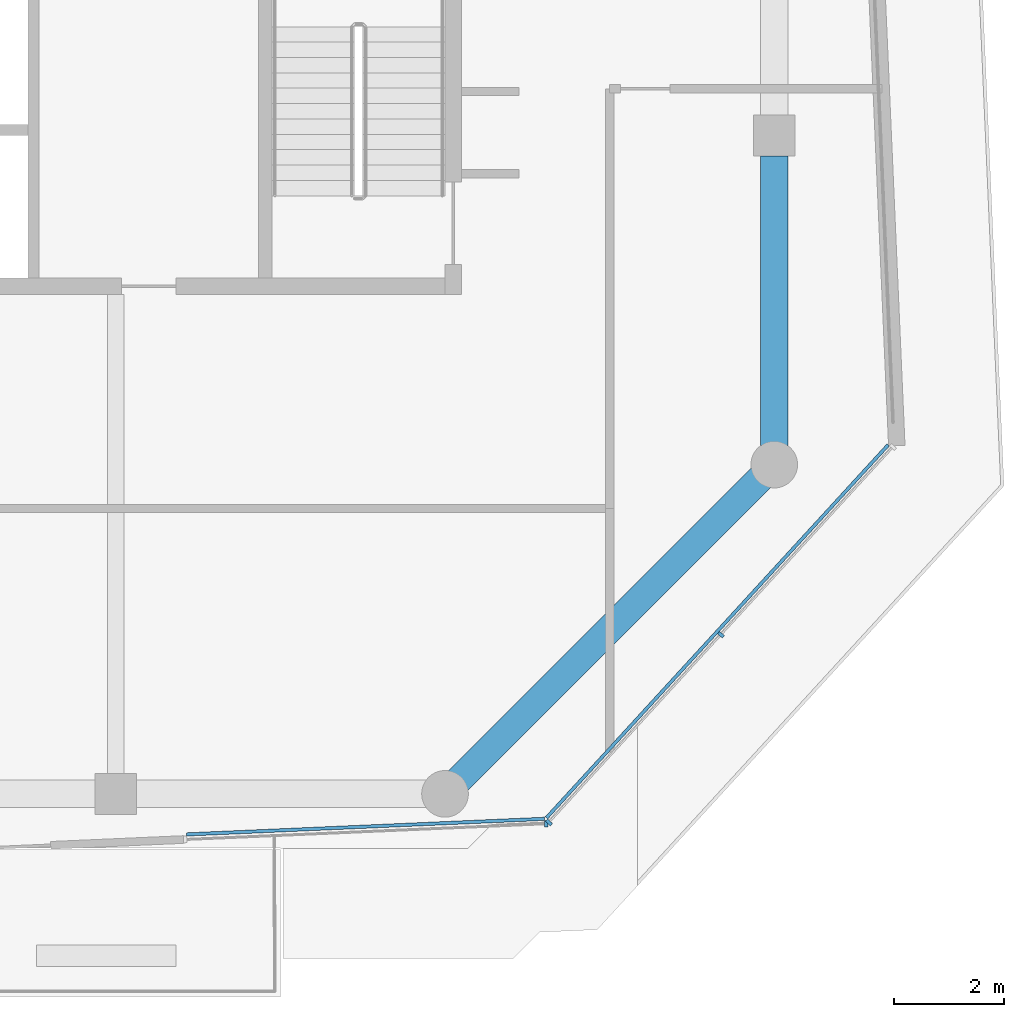
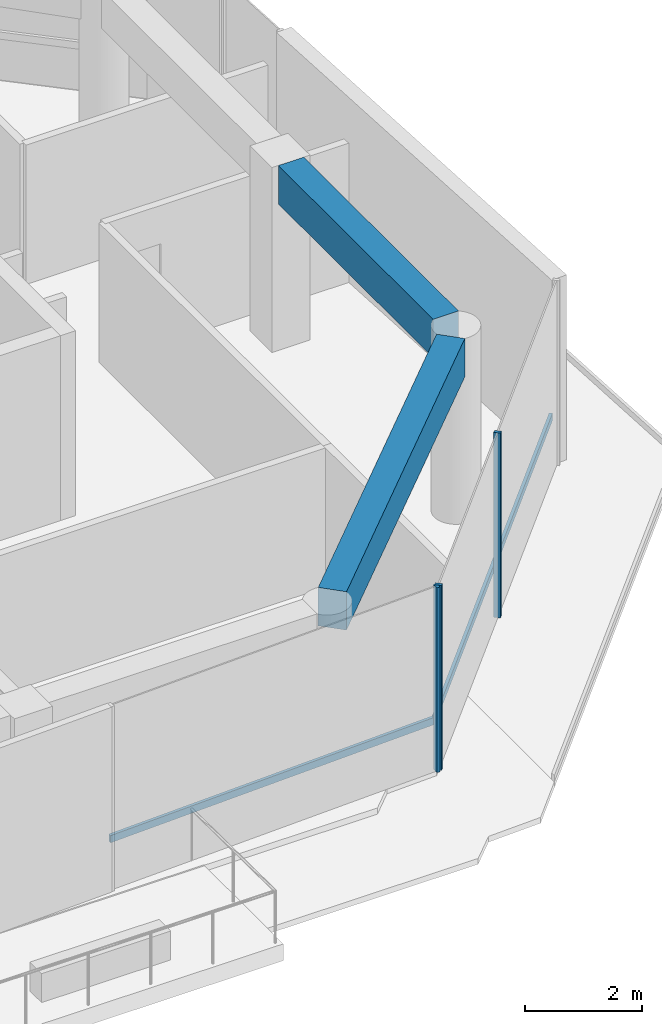
# One storey, part 3 of 20: 5 members, 2 beams, 2 elements without a shape of their own.
"""IFC4 building model written with IfcOpenShell, lengths in metres."""

from ifc_helpers import new_model, si_unit, direction, frame, origin, origin_2d, place, context, subcontext, project, spatial, rectangle, extrude, material, layer, layer_set, material_profile, profile_set, type_object, element, aggregate, save


model = new_model("IFC4")

# Units and contexts
model_context = context("Model", 3, precision=1e-05, world=origin(), true_north=direction((0.0, 1.0)))
body_context = subcontext(model_context, "Body", "Model", "MODEL_VIEW")
ifc_project = project(units=[si_unit("LENGTHUNIT", "METRE"), si_unit("AREAUNIT", "SQUARE_METRE"), si_unit("VOLUMEUNIT", "CUBIC_METRE"), si_unit("PLANEANGLEUNIT", "RADIAN"), si_unit("MASSUNIT", "GRAM", prefix="KILO")], contexts=[model_context])

# Site, building, storey
site_placement = place(None, origin())
site = spatial("IfcSite", under=ifc_project, at=site_placement, CompositionType="ELEMENT")
building_placement = place(site_placement, origin())
building = spatial("IfcBuilding", under=site, at=building_placement, Name="Welwitschia Terrace Campus", CompositionType="ELEMENT")
storey_placement = place(building_placement, frame((0.0, 0.0, 297.800048828125)))
storey = spatial("IfcBuildingStorey", under=building, at=storey_placement, Name="L66", CompositionType="ELEMENT", Elevation=297.800048828125)

# Curtain wall, member
ifc_material_1 = material(Name="Bronze anodised aluminium", Category="aluminium")
ifc_layer = layer(ifc_material_1, 0.1201171875)
ifc_layer_set = layer_set([ifc_layer], Name="Bronze anodised aluminium")
curtain_wall_type = type_object("IfcCurtainWallType", Name="Curtain wall CW2 tower 6000", PredefinedType="NOTDEFINED", material=ifc_layer_set)
curtain_wall_1_placement = place(storey_placement, origin())
curtain_wall_1 = element("IfcCurtainWall", 1, at=curtain_wall_1_placement, inside=storey, type_object=curtain_wall_type, Name="CW L66.1.2", PredefinedType="NOTDEFINED")
ifc_material_2 = material(Name="Bronze anodised aluminium", Category="aluminium")
ifc_material_profile_1 = material_profile(ifc_material_2, rectangle(XDim=0.1201171875, YDim=0.06005859375, at=origin_2d()))
ifc_profile_set_1 = profile_set([ifc_material_profile_1], Name="Bronze anodised aluminium")
member_type_1 = type_object("IfcMemberType", Name="Mullion 60x120", PredefinedType="MULLION", material=ifc_profile_set_1)
member_1_placement = place(storey_placement, frame((25.844482421875, -4.54345703125, 0.0), z_axis=(0.0, 0.0, 1.0), x_axis=(-0.043619387365, 0.999048221582, 0.0)))
member_1 = element("IfcMember", 2, at=member_1_placement, type_object=member_type_1, Name="Mullion L66.1.2.1", PredefinedType="MULLION", context=body_context, shape_type="SweptSolid", body=[
    extrude(rectangle(XDim=0.1201171875, YDim=0.06005859375, at=origin_2d()), origin(), (0.0, 0.0, 1.0), 3.849853515625),
])

# Curtain wall, members
curtain_wall_2_placement = place(storey_placement, origin())
curtain_wall_2 = element("IfcCurtainWall", 3, at=curtain_wall_2_placement, inside=storey, type_object=curtain_wall_type, Name="CW L66.2.0", PredefinedType="NOTDEFINED")
member_2_placement = place(storey_placement, frame((25.89453125, -4.52001953125, 0.0), z_axis=(0.0, 0.0, 1.0), x_axis=(-0.73727733681, 0.675590207616, 0.0)))
member_2 = element("IfcMember", 4, at=member_2_placement, type_object=member_type_1, Name="Mullion L66.2.0.0", PredefinedType="MULLION", context=body_context, shape_type="SweptSolid", body=[
    extrude(rectangle(XDim=0.1201171875, YDim=0.06005859375, at=origin_2d()), origin(), (0.0, 0.0, 1.0), 3.849853515625),
])
member_3_placement = place(storey_placement, frame((29.02880859375, -1.099609375, 0.0), z_axis=(0.0, 0.0, 1.0), x_axis=(-0.73727733681, 0.675590207616, 0.0)))
member_3 = element("IfcMember", 5, at=member_3_placement, type_object=member_type_1, Name="Mullion L66.2.0.1", PredefinedType="MULLION", context=body_context, shape_type="SweptSolid", body=[
    extrude(rectangle(XDim=0.1201171875, YDim=0.06005859375, at=origin_2d()), origin(), (0.0, 0.0, 1.0), 3.849853515625),
])

# Beams
ifc_material_3 = material(Name="Concrete C50/60", Category="concrete")
ifc_material_profile_2 = material_profile(ifc_material_3, rectangle(XDim=0.5, YDim=0.800048828125, at=origin_2d()))
ifc_profile_set_2 = profile_set([ifc_material_profile_2], Name="Concrete C50/60")
beam_type = type_object("IfcBeamType", Name="Ring spandrel 500x800", PredefinedType="SPANDREL", material=ifc_profile_set_2)
beam_1_placement = place(storey_placement, frame((24.24365234375, -3.75634765625, 3.449951171875), z_axis=(0.707106781187, 0.707106781187, 0.0), x_axis=(-0.707106781187, 0.707106781187, 0.0)))
element("IfcBeam", 6, at=beam_1_placement, inside=storey, type_object=beam_type, Name="Spandrel SP4", PredefinedType="SPANDREL", context=body_context, shape_type="SweptSolid", body=[
    extrude(rectangle(XDim=0.5, YDim=0.800048828125, at=origin_2d()), origin(), (0.0, 0.0, 1.0), 7.796142578125),
])
beam_2_placement = place(storey_placement, frame((30.0, 2.344482421875, 3.449951171875), z_axis=(0.0, 1.0, 0.0), x_axis=(-1.0, 0.0, 0.0)))
element("IfcBeam", 7, at=beam_2_placement, inside=storey, type_object=beam_type, Name="Spandrel SP4", PredefinedType="SPANDREL", context=body_context, shape_type="SweptSolid", body=[
    extrude(rectangle(XDim=0.5, YDim=0.800048828125, at=origin_2d()), origin(), (0.0, 0.0, 1.0), 5.280029296875),
])

# Member
ifc_material_4 = material(Name="Bronze anodised aluminium", Category="aluminium")
ifc_material_profile_3 = material_profile(ifc_material_4, rectangle(XDim=0.06005859375, YDim=0.14990234375, at=origin_2d()))
ifc_profile_set_3 = profile_set([ifc_material_profile_3], Name="Bronze anodised aluminium")
member_type_2 = type_object("IfcMemberType", Name="Transom 60x150", PredefinedType="USERDEFINED", material=ifc_profile_set_3)
member_4_placement = place(storey_placement, frame((19.290771484375, -4.739501953125, 1.0), z_axis=(0.999048165305, 0.043620676306, 0.0), x_axis=(-0.043620676306, 0.999048165305, 0.0)))
member_4 = element("IfcMember", 8, at=member_4_placement, type_object=member_type_2, Name="Transom L66.1.2", ObjectType="TRANSOM", PredefinedType="USERDEFINED", context=body_context, shape_type="SweptSolid", body=[
    extrude(rectangle(XDim=0.06005859375, YDim=0.14990234375, at=origin_2d()), origin(), (0.0, 0.0, 1.0), 6.52587890625),
])

aggregate(curtain_wall_1, [member_1, member_4])

member_5_placement = place(storey_placement, frame((25.8486328125, -4.437255859375, 1.0), z_axis=(0.675579503276, 0.737287145388, 0.0), x_axis=(-0.737287145388, 0.675579503276, 0.0)))
member_5 = element("IfcMember", 9, at=member_5_placement, type_object=member_type_2, Name="Transom L66.2.0", ObjectType="TRANSOM", PredefinedType="USERDEFINED", context=body_context, shape_type="SweptSolid", body=[
    extrude(rectangle(XDim=0.06005859375, YDim=0.14990234375, at=origin_2d()), origin(), (0.0, 0.0, 1.0), 9.218505859375),
])

aggregate(curtain_wall_2, [member_2, member_3, member_5])

save(model, "model.ifc")
